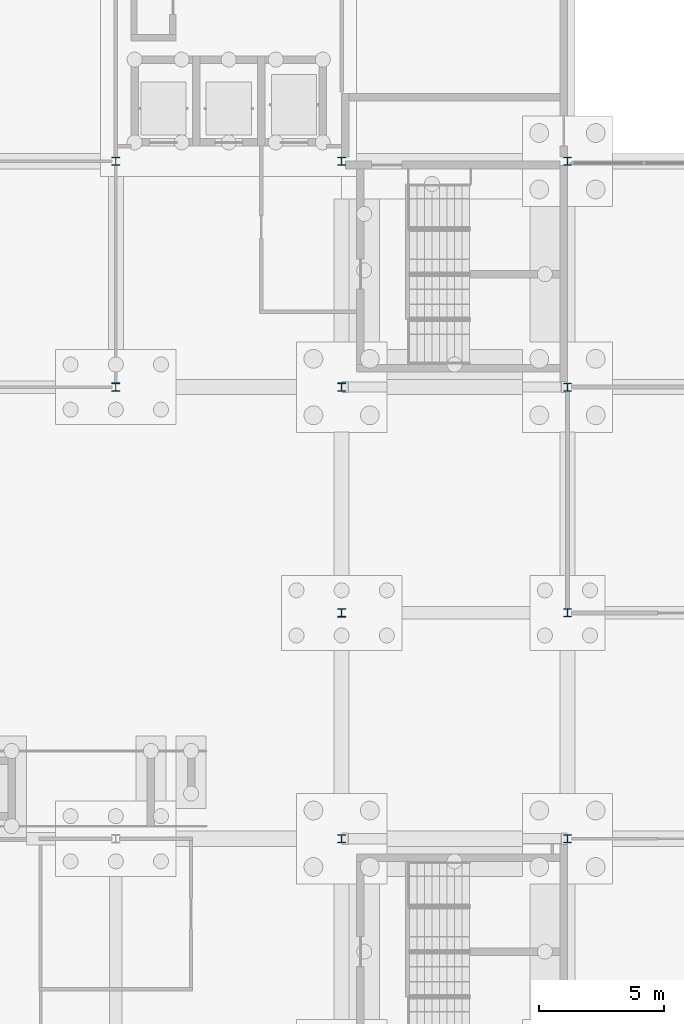
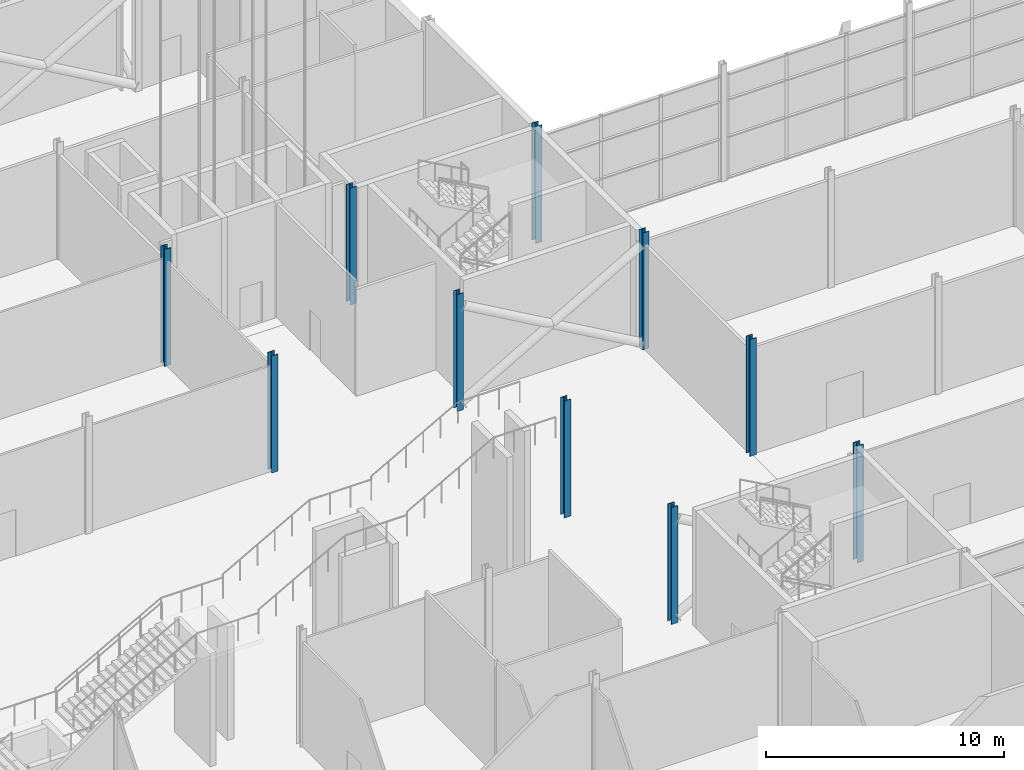
# One storey, part 28 of 139: 10 columns.
"""IFC4 building model written with IfcOpenShell, lengths in metres."""

from ifc_helpers import new_model, si_unit, direction, frame, origin, origin_2d, place, context, subcontext, project, spatial, i_section, extrude, material, material_profile, profile_set, type_object, element, save


model = new_model("IFC4")

# Units and contexts
model_context = context("Model", 3, precision=1e-05, world=origin(), true_north=direction((0.0, 1.0)))
body_context = subcontext(model_context, "Body", "Model", "MODEL_VIEW")
ifc_project = project(units=[si_unit("LENGTHUNIT", "METRE"), si_unit("AREAUNIT", "SQUARE_METRE"), si_unit("VOLUMEUNIT", "CUBIC_METRE"), si_unit("PLANEANGLEUNIT", "RADIAN"), si_unit("MASSUNIT", "GRAM", prefix="KILO")], contexts=[model_context])

# Site, building, storey
site_placement = place(None, origin())
site = spatial("IfcSite", under=ifc_project, at=site_placement, CompositionType="ELEMENT")
building_placement = place(site_placement, origin())
building = spatial("IfcBuilding", under=site, at=building_placement, Name="Shorebreak Coast Museum", CompositionType="ELEMENT")
storey_placement = place(building_placement, origin())
storey = spatial("IfcBuildingStorey", under=building, at=storey_placement, Name="L00", CompositionType="ELEMENT", Elevation=0.0)

# Columns
ifc_material_1 = material(Name="Steel Grade 300", Category="steel")
ifc_material_profile_1 = material_profile(ifc_material_1, i_section(OverallWidth=0.30908203125, OverallDepth=0.320556640625, WebThickness=0.013916015625, FlangeThickness=0.021728515625, FilletRadius=0.0166015625, at=origin_2d()), Name="310UC137")
ifc_profile_set_1 = profile_set([ifc_material_profile_1], Name="Steel Grade 300")
column_type_1 = type_object("IfcColumnType", Name="Column 310UC137", PredefinedType="COLUMN", material=ifc_profile_set_1)
for number, where, z_axis, x_axis, name in (
    (1, (117.0, 63.0, 0.0), (0.0, 0.0, 1.0), (1.0, 0.0, 0.0), "Column L00 14H"),
    (2, (117.0, 72.0, 0.0), (0.0, 0.0, 1.0), (1.0, 0.0, 0.0), "Column L00 14J"),
    (3, (117.0, 81.0, 0.0), (0.0, 0.0, 1.0), (1.0, 0.0, 0.0), "Column L00 14K"),
):
    element("IfcColumn", number, at=place(storey_placement, frame(where, z_axis=z_axis, x_axis=x_axis)), inside=storey, type_object=column_type_1, Name=name, PredefinedType="COLUMN", context=body_context, shape_type="SweptSolid", body=[
        extrude(i_section(OverallWidth=0.30908203125, OverallDepth=0.320556640625, WebThickness=0.013916015625, FlangeThickness=0.021728515625, FilletRadius=0.0166015625, at=origin_2d()), origin(), (0.0, 0.0, 1.0), 6.0),
    ])
ifc_material_2 = material(Name="Steel Grade 300", Category="steel")
ifc_material_profile_2 = material_profile(ifc_material_2, i_section(OverallWidth=0.31103515625, OverallDepth=0.3271484375, WebThickness=0.015625, FlangeThickness=0.02490234375, FilletRadius=0.0166015625, at=origin_2d()), Name="310UC158")
ifc_profile_set_2 = profile_set([ifc_material_profile_2], Name="Steel Grade 300")
column_type_2 = type_object("IfcColumnType", Name="Column 310UC158", PredefinedType="COLUMN", material=ifc_profile_set_2)
for number, where, z_axis, x_axis, name in (
    (4, (108.0, 63.0, 0.0), (0.0, 0.0, 1.0), (1.0, 0.0, 0.0), "Column L00 13H"),
    (5, (108.0, 72.0, 0.0), (0.0, 0.0, 1.0), (1.0, 0.0, 0.0), "Column L00 13J"),
    (6, (99.0, 81.0, 0.0), (0.0, 0.0, 1.0), (1.0, 0.0, 0.0), "Column L00 12K"),
    (7, (108.0, 81.0, 0.0), (0.0, 0.0, 1.0), (1.0, 0.0, 0.0), "Column L00 13K"),
    (8, (99.0, 90.0, 0.0), (0.0, 0.0, 1.0), (1.0, 0.0, 0.0), "Column L00 12L"),
    (9, (108.0, 90.0, 0.0), (0.0, 0.0, 1.0), (1.0, 0.0, 0.0), "Column L00 13L"),
    (10, (117.0, 90.0, 0.0), (0.0, 0.0, 1.0), (1.0, 0.0, 0.0), "Column L00 14L"),
):
    element("IfcColumn", number, at=place(storey_placement, frame(where, z_axis=z_axis, x_axis=x_axis)), inside=storey, type_object=column_type_2, Name=name, PredefinedType="COLUMN", context=body_context, shape_type="SweptSolid", body=[
        extrude(i_section(OverallWidth=0.31103515625, OverallDepth=0.3271484375, WebThickness=0.015625, FlangeThickness=0.02490234375, FilletRadius=0.0166015625, at=origin_2d()), origin(), (0.0, 0.0, 1.0), 6.0),
    ])

save(model, "model.ifc")
